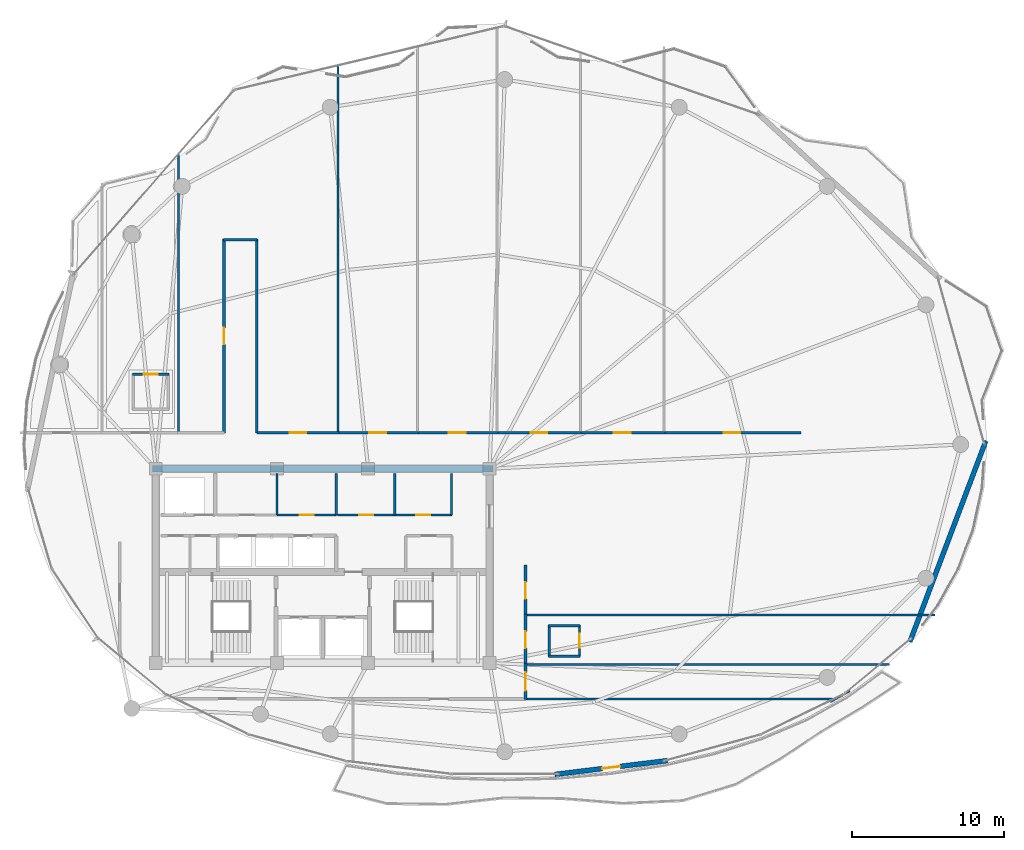
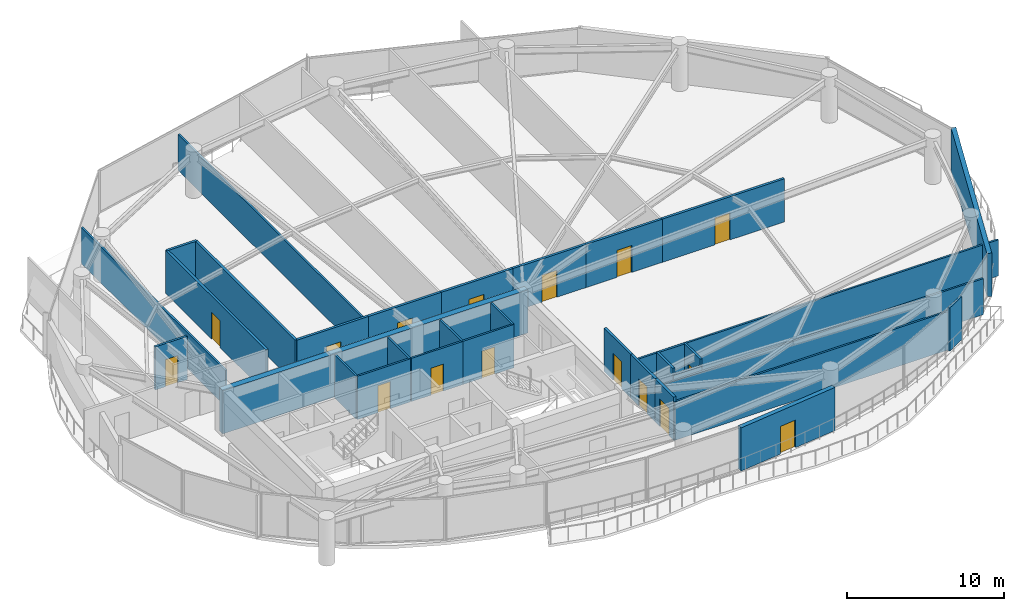
# One storey, part 24 of 29: 33 walls, 16 doors, 16 openings.
"""IFC4 building model written with IfcOpenShell, lengths in metres."""

from ifc_helpers import new_model, si_unit, direction, frame, frame_2d, origin, place, context, subcontext, project, spatial, rectangle, extrude, material, layer, layer_set, type_object, element, fill, save


model = new_model("IFC4")

# Units and contexts
model_context = context("Model", 3, precision=1e-05, world=origin(), true_north=direction((0.0, 1.0)))
body_context = subcontext(model_context, "Body", "Model", "MODEL_VIEW")
ifc_project = project(units=[si_unit("LENGTHUNIT", "METRE"), si_unit("AREAUNIT", "SQUARE_METRE"), si_unit("VOLUMEUNIT", "CUBIC_METRE"), si_unit("PLANEANGLEUNIT", "RADIAN"), si_unit("MASSUNIT", "GRAM", prefix="KILO")], contexts=[model_context])

# Site, building, storey
site_placement = place(None, origin())
site = spatial("IfcSite", under=ifc_project, at=site_placement, CompositionType="ELEMENT")
building_placement = place(site_placement, origin())
building = spatial("IfcBuilding", under=site, at=building_placement, Name="Kazevale Care Tower and Concert Hall", CompositionType="ELEMENT")
storey_placement = place(building_placement, frame((0.0, 0.0, 213.60009765625)))
storey = spatial("IfcBuildingStorey", under=building, at=storey_placement, Name="L56", CompositionType="ELEMENT", Elevation=213.60009765625)

# Wall, opening, door
ifc_material_1 = material(Name="Acoustic Gypsum on Steel Stud", Category="steel")
ifc_layer_1 = layer(ifc_material_1, 0.139892578125)
ifc_layer_set_1 = layer_set([ifc_layer_1], Name="Acoustic Gypsum on Steel Stud")
wall_type_1 = type_object("IfcWallType", Name="Acoustic Care & Suite Partition 140", PredefinedType="PARTITIONING", material=ifc_layer_set_1)
wall_1_placement = place(storey_placement, frame((30.0, 33.35009765625, 0.0), z_axis=(0.0, 0.0, 1.0), x_axis=(1.0, 0.0, 0.0)))
wall_1 = element("IfcWall", 1, at=wall_1_placement, inside=storey, type_object=wall_type_1, Name="wall:L56:c_rpl2_s", PredefinedType="PARTITIONING", context=body_context, shape_type="SweptSolid", body=[
    extrude(rectangle(XDim=3.919921875, YDim=0.139892578125, at=frame_2d((1.9599609375, 0.0))), origin(), (0.0, 0.0, 1.0), 3.35986328125),
])
opening_1_placement = place(wall_1_placement, frame((1.5, 0.0, 0.0)))
opening_1 = element("IfcOpeningElement", 2, at=opening_1_placement, cuts=wall_1, Name="Opening ID-900", PredefinedType="OPENING", context=body_context, shape_type="SweptSolid", body=[
    extrude(rectangle(XDim=0.919921875, YDim=2.10009765625, at=frame_2d((0.4599609375, 1.050048828125))), frame((0.0, 0.079833984375, 0.0), z_axis=(0.0, -1.0, 0.0), x_axis=(1.0, 0.0, 0.0)), (0.0, 0.0, 1.0), 0.159912109375),
])
ifc_material_2 = material(Name="Oak Timber Fire Leaf", Category="wood")
door_type_1 = type_object("IfcDoorType", Name="Bathroom & Service Door 920x2100", OperationType="NOTDEFINED", PredefinedType="DOOR", material=ifc_material_2)
door_1_placement = place(opening_1_placement, origin())
door_1 = element("IfcDoor", 3, at=door_1_placement, inside=storey, type_object=door_type_1, Name="door:L56:d_rpl2", OperationType="SINGLE_SWING_RIGHT", OverallHeight=2.10009765625, OverallWidth=0.919921875, PredefinedType="DOOR", context=body_context, shape_type="SweptSolid", body=[
    extrude(rectangle(XDim=0.919921875, YDim=2.10009765625, at=frame_2d((0.4599609375, 1.050048828125))), frame((0.0, 0.02490234375, 0.0), z_axis=(0.0, -1.0, 0.0), x_axis=(1.0, 0.0, 0.0)), (0.0, 0.0, 1.0), 0.050048828125),
])
fill(opening_1, door_1)

# Walls
for number, where, z_axis, x_axis, name in (
    (4, (30.0, 33.35009765625, 0.0), (0.0, 0.0, 1.0), (0.0, 1.0, 0.0), "wall:L56:c_rpl_m"),
    (5, (33.89990234375, 33.35009765625, 0.0), (0.0, 0.0, 1.0), (0.0, 1.0, 0.0), "wall:L56:c_rpl_e"),
):
    element("IfcWall", number, at=place(storey_placement, frame(where, z_axis=z_axis, x_axis=x_axis)), inside=storey, type_object=wall_type_1, Name=name, PredefinedType="PARTITIONING", context=body_context, shape_type="SweptSolid", body=[
        extrude(rectangle(XDim=2.75, YDim=0.139892578125, at=frame_2d((1.375, 0.0))), origin(), (0.0, 0.0, 1.0), 3.35986328125),
    ])

# Wall, opening, door
wall_2_placement = place(storey_placement, frame((33.97998046875, 33.35009765625, 0.0), z_axis=(0.0, 0.0, 1.0), x_axis=(1.0, 0.0, 0.0)))
wall_2 = element("IfcWall", 6, at=wall_2_placement, inside=storey, type_object=wall_type_1, Name="wall:L56:c_rpm1_s", PredefinedType="PARTITIONING", context=body_context, shape_type="SweptSolid", body=[
    extrude(rectangle(XDim=3.77001953125, YDim=0.139892578125, at=frame_2d((1.885009765625, 0.0))), origin(), (0.0, 0.0, 1.0), 3.35986328125),
])
opening_2_placement = place(wall_2_placement, frame((1.425048828125, 0.0, 0.0)))
opening_2 = element("IfcOpeningElement", 7, at=opening_2_placement, cuts=wall_2, Name="Opening ID-900", PredefinedType="OPENING", context=body_context, shape_type="SweptSolid", body=[
    extrude(rectangle(XDim=0.919921875, YDim=2.10009765625, at=frame_2d((0.4599609375, 1.050048828125))), frame((0.0, 0.079833984375, 0.0), z_axis=(0.0, -1.0, 0.0), x_axis=(1.0, 0.0, 0.0)), (0.0, 0.0, 1.0), 0.159912109375),
])
door_2_placement = place(opening_2_placement, origin())
door_2 = element("IfcDoor", 8, at=door_2_placement, inside=storey, type_object=door_type_1, Name="door:L56:d_rpm1", OperationType="SINGLE_SWING_LEFT", OverallHeight=2.10009765625, OverallWidth=0.919921875, PredefinedType="DOOR", context=body_context, shape_type="SweptSolid", body=[
    extrude(rectangle(XDim=0.919921875, YDim=2.10009765625, at=frame_2d((0.4599609375, 1.050048828125))), frame((0.0, 0.02490234375, 0.0), z_axis=(0.0, -1.0, 0.0), x_axis=(1.0, 0.0, 0.0)), (0.0, 0.0, 1.0), 0.050048828125),
])
fill(opening_2, door_2)

wall_3_placement = place(storey_placement, frame((37.75, 33.35009765625, 0.0), z_axis=(0.0, 0.0, 1.0), x_axis=(1.0, 0.0, 0.0)))
wall_3 = element("IfcWall", 9, at=wall_3_placement, inside=storey, type_object=wall_type_1, Name="wall:L56:c_rpm2_s", PredefinedType="PARTITIONING", context=body_context, shape_type="SweptSolid", body=[
    extrude(rectangle(XDim=3.77001953125, YDim=0.139892578125, at=frame_2d((1.885009765625, 0.0))), origin(), (0.0, 0.0, 1.0), 3.35986328125),
])
opening_3_placement = place(wall_3_placement, frame((1.425048828125, 0.0, 0.0)))
opening_3 = element("IfcOpeningElement", 10, at=opening_3_placement, cuts=wall_3, Name="Opening ID-900", PredefinedType="OPENING", context=body_context, shape_type="SweptSolid", body=[
    extrude(rectangle(XDim=0.919921875, YDim=2.10009765625, at=frame_2d((0.4599609375, 1.050048828125))), frame((0.0, 0.079833984375, 0.0), z_axis=(0.0, -1.0, 0.0), x_axis=(1.0, 0.0, 0.0)), (0.0, 0.0, 1.0), 0.159912109375),
])
door_3_placement = place(opening_3_placement, origin())
door_3 = element("IfcDoor", 11, at=door_3_placement, inside=storey, type_object=door_type_1, Name="door:L56:d_rpm2", OperationType="SINGLE_SWING_RIGHT", OverallHeight=2.10009765625, OverallWidth=0.919921875, PredefinedType="DOOR", context=body_context, shape_type="SweptSolid", body=[
    extrude(rectangle(XDim=0.919921875, YDim=2.10009765625, at=frame_2d((0.4599609375, 1.050048828125))), frame((0.0, 0.02490234375, 0.0), z_axis=(0.0, -1.0, 0.0), x_axis=(1.0, 0.0, 0.0)), (0.0, 0.0, 1.0), 0.050048828125),
])
fill(opening_3, door_3)

# Walls
for number, where, z_axis, x_axis, name in (
    (12, (37.75, 33.35009765625, 0.0), (0.0, 0.0, 1.0), (0.0, 1.0, 0.0), "wall:L56:c_rpm_m"),
    (13, (41.5, 33.35009765625, 0.0), (0.0, 0.0, 1.0), (0.0, 1.0, 0.0), "wall:L56:c_rpm_e"),
):
    element("IfcWall", number, at=place(storey_placement, frame(where, z_axis=z_axis, x_axis=x_axis)), inside=storey, type_object=wall_type_1, Name=name, PredefinedType="PARTITIONING", context=body_context, shape_type="SweptSolid", body=[
        extrude(rectangle(XDim=2.75, YDim=0.139892578125, at=frame_2d((1.375, 0.0))), origin(), (0.0, 0.0, 1.0), 3.35986328125),
    ])
wall_4_placement = place(storey_placement, frame((23.5, 57.115966796875, 0.0), z_axis=(0.0, 0.0, 1.0), x_axis=(0.0, -1.0, 0.0)))
element("IfcWall", 14, at=wall_4_placement, inside=storey, type_object=wall_type_1, Name="wall:L56:auto_020", PredefinedType="PARTITIONING", context=body_context, shape_type="SweptSolid", body=[
    extrude(rectangle(XDim=18.370849609375, YDim=0.139892578125, at=frame_2d((9.185546875, 0.0))), origin(), (0.0, 0.0, 1.0), 2.805908203125),
])
wall_5_placement = place(storey_placement, frame((34.0, 62.964111328125, 0.0), z_axis=(0.0, 0.0, 1.0), x_axis=(0.0, -1.0, 0.0)))
element("IfcWall", 15, at=wall_5_placement, inside=storey, type_object=wall_type_1, Name="wall:L56:auto_022", PredefinedType="PARTITIONING", context=body_context, shape_type="SweptSolid", body=[
    extrude(rectangle(XDim=24.218994140625, YDim=0.139892578125, at=frame_2d((12.109375, 0.0))), origin(), (0.0, 0.0, 1.0), 2.805908203125),
])
wall_6_placement = place(storey_placement, frame((46.344970703125, 23.5, 0.0), z_axis=(0.0, 0.0, 1.0), x_axis=(1.0, 0.0, 0.0)))
element("IfcWall", 16, at=wall_6_placement, inside=storey, type_object=wall_type_1, Name="wall:L56:auto_027", PredefinedType="PARTITIONING", context=body_context, shape_type="SweptSolid", body=[
    extrude(rectangle(XDim=24.01708984375, YDim=0.139892578125, at=frame_2d((12.008544921875, 0.0))), origin(), (0.0, 0.0, 1.0), 2.805908203125),
])
wall_7_placement = place(storey_placement, frame((66.683837890625, 21.22509765625, 0.0), z_axis=(0.0, 0.0, 1.0), x_axis=(-1.0, 0.0, 0.0)))
element("IfcWall", 17, at=wall_7_placement, inside=storey, type_object=wall_type_1, Name="wall:L56:auto_028", PredefinedType="PARTITIONING", context=body_context, shape_type="SweptSolid", body=[
    extrude(rectangle(XDim=20.3388671875, YDim=0.139892578125, at=frame_2d((10.16943359375, 0.0))), origin(), (0.0, 0.0, 1.0), 2.995849609375),
])
wall_8_placement = place(storey_placement, frame((67.748046875, 21.77001953125, 0.0), z_axis=(0.0, 0.0, 1.0), x_axis=(-0.871352238731, -0.490658003153, 0.0)))
element("IfcWall", 18, at=wall_8_placement, inside=storey, type_object=wall_type_1, Name="wall:L56:auto_029", PredefinedType="PARTITIONING", context=body_context, shape_type="SweptSolid", body=[
    extrude(rectangle(XDim=1.48974609375, YDim=0.139892578125, at=frame_2d((0.744873046875, 0.0))), origin(), (0.0, 0.0, 1.0), 3.35986328125),
])
wall_9_placement = place(storey_placement, frame((46.344970703125, 26.75, 0.0), z_axis=(0.0, 0.0, 1.0), x_axis=(1.0, 0.0, 0.0)))
element("IfcWall", 19, at=wall_9_placement, inside=storey, type_object=wall_type_1, Name="wall:L56:auto_030", PredefinedType="PARTITIONING", context=body_context, shape_type="SweptSolid", body=[
    extrude(rectangle(XDim=27.013916015625, YDim=0.139892578125, at=frame_2d((13.5068359375, 0.0))), origin(), (0.0, 0.0, 1.0), 2.805908203125),
])
ifc_material_3 = material(Name="Concrete C50", Category="concrete")
ifc_layer_2 = layer(ifc_material_3, 0.449951171875)
ifc_layer_set_2 = layer_set([ifc_layer_2], Name="Concrete C50")
wall_type_2 = type_object("IfcWallType", Name="Core Shear Wall 450 C50", PredefinedType="SHEAR", material=ifc_layer_set_2)
wall_10_placement = place(storey_placement, frame((21.77490234375, 36.39990234375, 0.0), z_axis=(0.0, 0.0, 1.0), x_axis=(1.0, 0.0, 0.0)))
element("IfcWall", 20, at=wall_10_placement, inside=storey, type_object=wall_type_2, Name="wall:L56:core:N", PredefinedType="SHEAR", context=body_context, shape_type="SweptSolid", body=[
    extrude(rectangle(XDim=22.4501953125, YDim=0.449951171875, at=frame_2d((11.22509765625, 0.0))), origin(), (0.0, 0.0, 1.0), 3.35986328125),
])

# Wall, opening, door
ifc_material_4 = material(Name="Concrete C40 and Acoustic Gypsum", Category="concrete")
ifc_layer_3 = layer(ifc_material_4, 0.179931640625)
ifc_layer_set_3 = layer_set([ifc_layer_3], Name="Concrete C40 and Acoustic Gypsum")
wall_type_3 = type_object("IfcWallType", Name="Fire-Rated Corridor & Party Wall 180", PredefinedType="PARTITIONING", material=ifc_layer_set_3)
wall_11_placement = place(storey_placement, frame((26.5, 38.7451171875, 0.0), z_axis=(0.0, 0.0, 1.0), x_axis=(0.0, 1.0, 0.0)))
wall_11 = element("IfcWall", 21, at=wall_11_placement, inside=storey, type_object=wall_type_3, Name="wall:L56:auto_003", PredefinedType="PARTITIONING", context=body_context, shape_type="SweptSolid", body=[
    extrude(rectangle(XDim=12.784912109375, YDim=0.179931640625, at=frame_2d((6.392578125, 0.0))), origin(), (0.0, 0.0, 1.0), 3.35986328125),
])
opening_4_placement = place(wall_11_placement, frame((5.843017578125, 0.0, 0.0)))
opening_4 = element("IfcOpeningElement", 22, at=opening_4_placement, cuts=wall_11, Name="Opening ID-1100", PredefinedType="OPENING", context=body_context, shape_type="SweptSolid", body=[
    extrude(rectangle(XDim=1.10009765625, YDim=2.10009765625, at=frame_2d((0.550048828125, 1.050048828125))), frame((0.0, 0.099853515625, 0.0), z_axis=(0.0, -1.0, 0.0), x_axis=(1.0, 0.0, 0.0)), (0.0, 0.0, 1.0), 0.199951171875),
])
door_type_2 = type_object("IfcDoorType", Name="Care Bedroom Accessible Door 1100x2100", OperationType="NOTDEFINED", PredefinedType="DOOR", material=ifc_material_2)
door_4_placement = place(opening_4_placement, origin())
door_4 = element("IfcDoor", 23, at=door_4_placement, inside=storey, type_object=door_type_2, Name="door:L56:ad_003", OperationType="SINGLE_SWING_LEFT", OverallHeight=2.10009765625, OverallWidth=1.10009765625, PredefinedType="DOOR", context=body_context, shape_type="SweptSolid", body=[
    extrude(rectangle(XDim=1.10009765625, YDim=2.10009765625, at=frame_2d((0.550048828125, 1.050048828125))), frame((0.0, 0.02490234375, 0.0), z_axis=(0.0, -1.0, 0.0), x_axis=(1.0, 0.0, 0.0)), (0.0, 0.0, 1.0), 0.050048828125),
])
fill(opening_4, door_4)

# Walls
wall_12_placement = place(storey_placement, frame((28.64990234375, 51.530029296875, 0.0), z_axis=(0.0, 0.0, 1.0), x_axis=(0.0, -1.0, 0.0)))
element("IfcWall", 24, at=wall_12_placement, inside=storey, type_object=wall_type_3, Name="wall:L56:auto_004", PredefinedType="PARTITIONING", context=body_context, shape_type="SweptSolid", body=[
    extrude(rectangle(XDim=12.784912109375, YDim=0.179931640625, at=frame_2d((6.392578125, 0.0))), origin(), (0.0, 0.0, 1.0), 3.35986328125),
])
wall_13_placement = place(storey_placement, frame((26.469970703125, 51.5, 0.0), z_axis=(0.0, 0.0, 1.0), x_axis=(1.0, 0.0, 0.0)))
element("IfcWall", 25, at=wall_13_placement, inside=storey, type_object=wall_type_3, Name="wall:L56:auto_006", PredefinedType="PARTITIONING", context=body_context, shape_type="SweptSolid", body=[
    extrude(rectangle(XDim=2.2099609375, YDim=0.179931640625, at=frame_2d((1.10498046875, 0.0))), origin(), (0.0, 0.0, 1.0), 3.35986328125),
])

# Wall, opening, door
wall_14_placement = place(storey_placement, frame((28.68505859375, 38.77490234375, 0.0), z_axis=(0.0, 0.0, 1.0), x_axis=(1.0, 0.0, 0.0)))
wall_14 = element("IfcWall", 26, at=wall_14_placement, inside=storey, type_object=wall_type_3, Name="wall:L56:auto_007", PredefinedType="PARTITIONING", context=body_context, shape_type="SweptSolid", body=[
    extrude(rectangle(XDim=5.3798828125, YDim=0.179931640625, at=frame_2d((2.68994140625, 0.0))), origin(), (0.0, 0.0, 1.0), 3.35986328125),
])
opening_5_placement = place(wall_14_placement, frame((2.139892578125, 0.0, 0.0)))
opening_5 = element("IfcOpeningElement", 27, at=opening_5_placement, cuts=wall_14, Name="Opening ID-1100", PredefinedType="OPENING", context=body_context, shape_type="SweptSolid", body=[
    extrude(rectangle(XDim=1.10009765625, YDim=2.10009765625, at=frame_2d((0.550048828125, 1.050048828125))), frame((0.0, 0.099853515625, 0.0), z_axis=(0.0, -1.0, 0.0), x_axis=(1.0, 0.0, 0.0)), (0.0, 0.0, 1.0), 0.199951171875),
])
door_5_placement = place(opening_5_placement, origin())
door_5 = element("IfcDoor", 28, at=door_5_placement, inside=storey, type_object=door_type_2, Name="door:L56:ad_007", OperationType="SINGLE_SWING_LEFT", OverallHeight=2.10009765625, OverallWidth=1.10009765625, PredefinedType="DOOR", context=body_context, shape_type="SweptSolid", body=[
    extrude(rectangle(XDim=1.10009765625, YDim=2.10009765625, at=frame_2d((0.550048828125, 1.050048828125))), frame((0.0, 0.02490234375, 0.0), z_axis=(0.0, -1.0, 0.0), x_axis=(1.0, 0.0, 0.0)), (0.0, 0.0, 1.0), 0.050048828125),
])
fill(opening_5, door_5)

wall_15_placement = place(storey_placement, frame((33.93505859375, 38.77490234375, 0.0), z_axis=(0.0, 0.0, 1.0), x_axis=(1.0, 0.0, 0.0)))
wall_15 = element("IfcWall", 29, at=wall_15_placement, inside=storey, type_object=wall_type_3, Name="wall:L56:auto_008", PredefinedType="PARTITIONING", context=body_context, shape_type="SweptSolid", body=[
    extrude(rectangle(XDim=5.3798828125, YDim=0.179931640625, at=frame_2d((2.68994140625, 0.0))), origin(), (0.0, 0.0, 1.0), 3.35986328125),
])
opening_6_placement = place(wall_15_placement, frame((2.139892578125, 0.0, 0.0)))
opening_6 = element("IfcOpeningElement", 30, at=opening_6_placement, cuts=wall_15, Name="Opening ID-1100", PredefinedType="OPENING", context=body_context, shape_type="SweptSolid", body=[
    extrude(rectangle(XDim=1.10009765625, YDim=2.10009765625, at=frame_2d((0.550048828125, 1.050048828125))), frame((0.0, 0.099853515625, 0.0), z_axis=(0.0, -1.0, 0.0), x_axis=(1.0, 0.0, 0.0)), (0.0, 0.0, 1.0), 0.199951171875),
])
door_6_placement = place(opening_6_placement, origin())
door_6 = element("IfcDoor", 31, at=door_6_placement, inside=storey, type_object=door_type_2, Name="door:L56:ad_008", OperationType="SINGLE_SWING_LEFT", OverallHeight=2.10009765625, OverallWidth=1.10009765625, PredefinedType="DOOR", context=body_context, shape_type="SweptSolid", body=[
    extrude(rectangle(XDim=1.10009765625, YDim=2.10009765625, at=frame_2d((0.550048828125, 1.050048828125))), frame((0.0, 0.02490234375, 0.0), z_axis=(0.0, -1.0, 0.0), x_axis=(1.0, 0.0, 0.0)), (0.0, 0.0, 1.0), 0.050048828125),
])
fill(opening_6, door_6)

wall_16_placement = place(storey_placement, frame((39.18505859375, 38.77490234375, 0.0), z_axis=(0.0, 0.0, 1.0), x_axis=(1.0, 0.0, 0.0)))
wall_16 = element("IfcWall", 32, at=wall_16_placement, inside=storey, type_object=wall_type_3, Name="wall:L56:auto_009", PredefinedType="PARTITIONING", context=body_context, shape_type="SweptSolid", body=[
    extrude(rectangle(XDim=5.3798828125, YDim=0.179931640625, at=frame_2d((2.68994140625, 0.0))), origin(), (0.0, 0.0, 1.0), 3.35986328125),
])
opening_7_placement = place(wall_16_placement, frame((2.139892578125, 0.0, 0.0)))
opening_7 = element("IfcOpeningElement", 33, at=opening_7_placement, cuts=wall_16, Name="Opening ID-1100", PredefinedType="OPENING", context=body_context, shape_type="SweptSolid", body=[
    extrude(rectangle(XDim=1.10009765625, YDim=2.10009765625, at=frame_2d((0.550048828125, 1.050048828125))), frame((0.0, 0.099853515625, 0.0), z_axis=(0.0, -1.0, 0.0), x_axis=(1.0, 0.0, 0.0)), (0.0, 0.0, 1.0), 0.199951171875),
])
door_7_placement = place(opening_7_placement, origin())
door_7 = element("IfcDoor", 34, at=door_7_placement, inside=storey, type_object=door_type_2, Name="door:L56:ad_009", OperationType="SINGLE_SWING_LEFT", OverallHeight=2.10009765625, OverallWidth=1.10009765625, PredefinedType="DOOR", context=body_context, shape_type="SweptSolid", body=[
    extrude(rectangle(XDim=1.10009765625, YDim=2.10009765625, at=frame_2d((0.550048828125, 1.050048828125))), frame((0.0, 0.02490234375, 0.0), z_axis=(0.0, -1.0, 0.0), x_axis=(1.0, 0.0, 0.0)), (0.0, 0.0, 1.0), 0.050048828125),
])
fill(opening_7, door_7)

wall_17_placement = place(storey_placement, frame((44.43505859375, 38.77490234375, 0.0), z_axis=(0.0, 0.0, 1.0), x_axis=(1.0, 0.0, 0.0)))
wall_17 = element("IfcWall", 35, at=wall_17_placement, inside=storey, type_object=wall_type_3, Name="wall:L56:auto_010", PredefinedType="PARTITIONING", context=body_context, shape_type="SweptSolid", body=[
    extrude(rectangle(XDim=5.6298828125, YDim=0.179931640625, at=frame_2d((2.81494140625, 0.0))), origin(), (0.0, 0.0, 1.0), 3.35986328125),
])
opening_8_placement = place(wall_17_placement, frame((2.264892578125, 0.0, 0.0)))
opening_8 = element("IfcOpeningElement", 36, at=opening_8_placement, cuts=wall_17, Name="Opening ID-1100", PredefinedType="OPENING", context=body_context, shape_type="SweptSolid", body=[
    extrude(rectangle(XDim=1.10009765625, YDim=2.10009765625, at=frame_2d((0.550048828125, 1.050048828125))), frame((0.0, 0.099853515625, 0.0), z_axis=(0.0, -1.0, 0.0), x_axis=(1.0, 0.0, 0.0)), (0.0, 0.0, 1.0), 0.199951171875),
])
door_8_placement = place(opening_8_placement, origin())
door_8 = element("IfcDoor", 37, at=door_8_placement, inside=storey, type_object=door_type_2, Name="door:L56:ad_010", OperationType="SINGLE_SWING_LEFT", OverallHeight=2.10009765625, OverallWidth=1.10009765625, PredefinedType="DOOR", context=body_context, shape_type="SweptSolid", body=[
    extrude(rectangle(XDim=1.10009765625, YDim=2.10009765625, at=frame_2d((0.550048828125, 1.050048828125))), frame((0.0, 0.02490234375, 0.0), z_axis=(0.0, -1.0, 0.0), x_axis=(1.0, 0.0, 0.0)), (0.0, 0.0, 1.0), 0.050048828125),
])
fill(opening_8, door_8)

wall_18_placement = place(storey_placement, frame((49.93505859375, 38.77490234375, 0.0), z_axis=(0.0, 0.0, 1.0), x_axis=(1.0, 0.0, 0.0)))
wall_18 = element("IfcWall", 38, at=wall_18_placement, inside=storey, type_object=wall_type_3, Name="wall:L56:auto_011", PredefinedType="PARTITIONING", context=body_context, shape_type="SweptSolid", body=[
    extrude(rectangle(XDim=5.6298828125, YDim=0.179931640625, at=frame_2d((2.81494140625, 0.0))), origin(), (0.0, 0.0, 1.0), 3.35986328125),
])
opening_9_placement = place(wall_18_placement, frame((2.264892578125, 0.0, 0.0)))
opening_9 = element("IfcOpeningElement", 39, at=opening_9_placement, cuts=wall_18, Name="Opening ID-1100", PredefinedType="OPENING", context=body_context, shape_type="SweptSolid", body=[
    extrude(rectangle(XDim=1.10009765625, YDim=2.10009765625, at=frame_2d((0.550048828125, 1.050048828125))), frame((0.0, 0.099853515625, 0.0), z_axis=(0.0, -1.0, 0.0), x_axis=(1.0, 0.0, 0.0)), (0.0, 0.0, 1.0), 0.199951171875),
])
door_9_placement = place(opening_9_placement, origin())
door_9 = element("IfcDoor", 40, at=door_9_placement, inside=storey, type_object=door_type_2, Name="door:L56:ad_011", OperationType="SINGLE_SWING_LEFT", OverallHeight=2.10009765625, OverallWidth=1.10009765625, PredefinedType="DOOR", context=body_context, shape_type="SweptSolid", body=[
    extrude(rectangle(XDim=1.10009765625, YDim=2.10009765625, at=frame_2d((0.550048828125, 1.050048828125))), frame((0.0, 0.02490234375, 0.0), z_axis=(0.0, -1.0, 0.0), x_axis=(1.0, 0.0, 0.0)), (0.0, 0.0, 1.0), 0.050048828125),
])
fill(opening_9, door_9)

wall_19_placement = place(storey_placement, frame((55.43505859375, 38.77490234375, 0.0), z_axis=(0.0, 0.0, 1.0), x_axis=(1.0, 0.0, 0.0)))
wall_19 = element("IfcWall", 41, at=wall_19_placement, inside=storey, type_object=wall_type_3, Name="wall:L56:auto_012", PredefinedType="PARTITIONING", context=body_context, shape_type="SweptSolid", body=[
    extrude(rectangle(XDim=9.094970703125, YDim=0.179931640625, at=frame_2d((4.54736328125, 0.0))), origin(), (0.0, 0.0, 1.0), 3.35986328125),
])
opening_10_placement = place(wall_19_placement, frame((3.998046875, 0.0, 0.0)))
opening_10 = element("IfcOpeningElement", 42, at=opening_10_placement, cuts=wall_19, Name="Opening ID-1100", PredefinedType="OPENING", context=body_context, shape_type="SweptSolid", body=[
    extrude(rectangle(XDim=1.10009765625, YDim=2.10009765625, at=frame_2d((0.550048828125, 1.050048828125))), frame((0.0, 0.099853515625, 0.0), z_axis=(0.0, -1.0, 0.0), x_axis=(1.0, 0.0, 0.0)), (0.0, 0.0, 1.0), 0.199951171875),
])
door_10_placement = place(opening_10_placement, origin())
door_10 = element("IfcDoor", 43, at=door_10_placement, inside=storey, type_object=door_type_2, Name="door:L56:ad_012", OperationType="SINGLE_SWING_LEFT", OverallHeight=2.10009765625, OverallWidth=1.10009765625, PredefinedType="DOOR", context=body_context, shape_type="SweptSolid", body=[
    extrude(rectangle(XDim=1.10009765625, YDim=2.10009765625, at=frame_2d((0.550048828125, 1.050048828125))), frame((0.0, 0.02490234375, 0.0), z_axis=(0.0, -1.0, 0.0), x_axis=(1.0, 0.0, 0.0)), (0.0, 0.0, 1.0), 0.050048828125),
])
fill(opening_10, door_10)

wall_20_placement = place(storey_placement, frame((46.375, 23.56494140625, 0.0), z_axis=(0.0, 0.0, 1.0), x_axis=(0.0, -1.0, 0.0)))
wall_20 = element("IfcWall", 44, at=wall_20_placement, inside=storey, type_object=wall_type_3, Name="wall:L56:auto_013", PredefinedType="PARTITIONING", context=body_context, shape_type="SweptSolid", body=[
    extrude(rectangle(XDim=2.369873046875, YDim=0.179931640625, at=frame_2d((1.18505859375, 0.0))), origin(), (0.0, 0.0, 1.0), 3.35986328125),
])
opening_11_placement = place(wall_20_placement, frame((0.5849609375, 0.0, 0.0)))
opening_11 = element("IfcOpeningElement", 45, at=opening_11_placement, cuts=wall_20, Name="Opening ID-1200", PredefinedType="OPENING", context=body_context, shape_type="SweptSolid", body=[
    extrude(rectangle(XDim=1.199951171875, YDim=2.14990234375, at=frame_2d((0.60009765625, 1.074951171875))), frame((0.0, 0.099853515625, 0.0), z_axis=(0.0, -1.0, 0.0), x_axis=(1.0, 0.0, 0.0)), (0.0, 0.0, 1.0), 0.199951171875),
])
door_type_3 = type_object("IfcDoorType", Name="Clinical & Therapy Door 1200x2150", OperationType="NOTDEFINED", PredefinedType="DOOR", material=ifc_material_2)
door_11_placement = place(opening_11_placement, origin())
door_11 = element("IfcDoor", 46, at=door_11_placement, inside=storey, type_object=door_type_3, Name="door:L56:ad_013", OperationType="SINGLE_SWING_LEFT", OverallHeight=2.14990234375, OverallWidth=1.199951171875, PredefinedType="DOOR", context=body_context, shape_type="SweptSolid", body=[
    extrude(rectangle(XDim=1.199951171875, YDim=2.14990234375, at=frame_2d((0.60009765625, 1.074951171875))), frame((0.0, 0.02490234375, 0.0), z_axis=(0.0, -1.0, 0.0), x_axis=(1.0, 0.0, 0.0)), (0.0, 0.0, 1.0), 0.050048828125),
])
fill(opening_11, door_11)

wall_21_placement = place(storey_placement, frame((46.375, 26.81494140625, 0.0), z_axis=(0.0, 0.0, 1.0), x_axis=(0.0, -1.0, 0.0)))
wall_21 = element("IfcWall", 47, at=wall_21_placement, inside=storey, type_object=wall_type_3, Name="wall:L56:auto_014", PredefinedType="PARTITIONING", context=body_context, shape_type="SweptSolid", body=[
    extrude(rectangle(XDim=3.3798828125, YDim=0.179931640625, at=frame_2d((1.68994140625, 0.0))), origin(), (0.0, 0.0, 1.0), 3.35986328125),
])
opening_12_placement = place(wall_21_placement, frame((1.139892578125, 0.0, 0.0)))
opening_12 = element("IfcOpeningElement", 48, at=opening_12_placement, cuts=wall_21, Name="Opening ID-1100", PredefinedType="OPENING", context=body_context, shape_type="SweptSolid", body=[
    extrude(rectangle(XDim=1.10009765625, YDim=2.10009765625, at=frame_2d((0.550048828125, 1.050048828125))), frame((0.0, 0.099853515625, 0.0), z_axis=(0.0, -1.0, 0.0), x_axis=(1.0, 0.0, 0.0)), (0.0, 0.0, 1.0), 0.199951171875),
])
door_12_placement = place(opening_12_placement, origin())
door_12 = element("IfcDoor", 49, at=door_12_placement, inside=storey, type_object=door_type_2, Name="door:L56:ad_014", OperationType="SINGLE_SWING_LEFT", OverallHeight=2.10009765625, OverallWidth=1.10009765625, PredefinedType="DOOR", context=body_context, shape_type="SweptSolid", body=[
    extrude(rectangle(XDim=1.10009765625, YDim=2.10009765625, at=frame_2d((0.550048828125, 1.050048828125))), frame((0.0, 0.02490234375, 0.0), z_axis=(0.0, -1.0, 0.0), x_axis=(1.0, 0.0, 0.0)), (0.0, 0.0, 1.0), 0.050048828125),
])
fill(opening_12, door_12)

wall_22_placement = place(storey_placement, frame((46.375, 30.06494140625, 0.0), z_axis=(0.0, 0.0, 1.0), x_axis=(0.0, -1.0, 0.0)))
wall_22 = element("IfcWall", 50, at=wall_22_placement, inside=storey, type_object=wall_type_3, Name="wall:L56:auto_015", PredefinedType="PARTITIONING", context=body_context, shape_type="SweptSolid", body=[
    extrude(rectangle(XDim=3.3798828125, YDim=0.179931640625, at=frame_2d((1.68994140625, 0.0))), origin(), (0.0, 0.0, 1.0), 3.35986328125),
])
opening_13_placement = place(wall_22_placement, frame((1.139892578125, 0.0, 0.0)))
opening_13 = element("IfcOpeningElement", 51, at=opening_13_placement, cuts=wall_22, Name="Opening ID-1100", PredefinedType="OPENING", context=body_context, shape_type="SweptSolid", body=[
    extrude(rectangle(XDim=1.10009765625, YDim=2.10009765625, at=frame_2d((0.550048828125, 1.050048828125))), frame((0.0, 0.099853515625, 0.0), z_axis=(0.0, -1.0, 0.0), x_axis=(1.0, 0.0, 0.0)), (0.0, 0.0, 1.0), 0.199951171875),
])
door_13_placement = place(opening_13_placement, origin())
door_13 = element("IfcDoor", 52, at=door_13_placement, inside=storey, type_object=door_type_2, Name="door:L56:ad_015", OperationType="SINGLE_SWING_LEFT", OverallHeight=2.10009765625, OverallWidth=1.10009765625, PredefinedType="DOOR", context=body_context, shape_type="SweptSolid", body=[
    extrude(rectangle(XDim=1.10009765625, YDim=2.10009765625, at=frame_2d((0.550048828125, 1.050048828125))), frame((0.0, 0.02490234375, 0.0), z_axis=(0.0, -1.0, 0.0), x_axis=(1.0, 0.0, 0.0)), (0.0, 0.0, 1.0), 0.050048828125),
])
fill(opening_13, door_13)

ifc_layer_4 = layer(ifc_material_1, 0.159912109375)
ifc_layer_set_4 = layer_set([ifc_layer_4], Name="Acoustic Gypsum on Steel Stud")
wall_type_4 = type_object("IfcWallType", Name="Moisture-Resistant Bathroom Plumbing Wall 160", PredefinedType="PLUMBINGWALL", material=ifc_layer_set_4)
wall_23_placement = place(storey_placement, frame((20.47998046875, 42.625, 0.0), z_axis=(0.0, 0.0, 1.0), x_axis=(1.0, 0.0, 0.0)))
wall_23 = element("IfcWall", 53, at=wall_23_placement, inside=storey, type_object=wall_type_4, Name="wall:L56:nb1b_ens_wn", PredefinedType="PLUMBINGWALL", context=body_context, shape_type="SweptSolid", body=[
    extrude(rectangle(XDim=2.380126953125, YDim=0.159912109375, at=frame_2d((1.18994140625, 0.0))), origin(), (0.0, 0.0, 1.0), 3.35986328125),
])
opening_14_placement = place(wall_23_placement, frame((0.739990234375, 0.0, 0.0)))
opening_14 = element("IfcOpeningElement", 54, at=opening_14_placement, cuts=wall_23, Name="Opening ID-900", PredefinedType="OPENING", context=body_context, shape_type="SweptSolid", body=[
    extrude(rectangle(XDim=0.919921875, YDim=2.10009765625, at=frame_2d((0.4599609375, 1.050048828125))), frame((0.0, 0.08984375, 0.0), z_axis=(0.0, -1.0, 0.0), x_axis=(1.0, 0.0, 0.0)), (0.0, 0.0, 1.0), 0.179931640625),
])
door_14_placement = place(opening_14_placement, origin())
door_14 = element("IfcDoor", 55, at=door_14_placement, inside=storey, type_object=door_type_1, Name="door:L56:nb1b_ens_d", OperationType="SINGLE_SWING_RIGHT", OverallHeight=2.10009765625, OverallWidth=0.919921875, PredefinedType="DOOR", context=body_context, shape_type="SweptSolid", body=[
    extrude(rectangle(XDim=0.919921875, YDim=2.10009765625, at=frame_2d((0.4599609375, 1.050048828125))), frame((0.0, 0.02490234375, 0.0), z_axis=(0.0, -1.0, 0.0), x_axis=(1.0, 0.0, 0.0)), (0.0, 0.0, 1.0), 0.050048828125),
])
fill(opening_14, door_14)

# Walls
wall_24_placement = place(storey_placement, frame((47.885009765625, 24.050048828125, 0.0), z_axis=(0.0, 0.0, 1.0), x_axis=(1.0, 0.0, 0.0)))
element("IfcWall", 56, at=wall_24_placement, inside=storey, type_object=wall_type_4, Name="wall:L56:eb2a_ens_ws", PredefinedType="PLUMBINGWALL", context=body_context, shape_type="SweptSolid", body=[
    extrude(rectangle(XDim=2.080078125, YDim=0.159912109375, at=frame_2d((1.0400390625, 0.0))), origin(), (0.0, 0.0, 1.0), 2.805908203125),
])
for number, where, z_axis, x_axis, name in (
    (57, (47.885009765625, 26.050048828125, 0.0), (0.0, 0.0, 1.0), (1.0, 0.0, 0.0), "wall:L56:eb2a_ens_wn"),
    (58, (47.925048828125, 24.010009765625, 0.0), (0.0, 0.0, 1.0), (0.0, 1.0, 0.0), "wall:L56:eb2a_ens_ww"),
):
    element("IfcWall", number, at=place(storey_placement, frame(where, z_axis=z_axis, x_axis=x_axis)), inside=storey, type_object=wall_type_4, Name=name, PredefinedType="PLUMBINGWALL", context=body_context, shape_type="SweptSolid", body=[
        extrude(rectangle(XDim=2.080078125, YDim=0.159912109375, at=frame_2d((1.0400390625, 0.0))), origin(), (0.0, 0.0, 1.0), 3.35986328125),
    ])

# Wall, opening, door
wall_25_placement = place(storey_placement, frame((49.925048828125, 24.010009765625, 0.0), z_axis=(0.0, 0.0, 1.0), x_axis=(0.0, 1.0, 0.0)))
wall_25 = element("IfcWall", 59, at=wall_25_placement, inside=storey, type_object=wall_type_4, Name="wall:L56:eb2a_ens_we", PredefinedType="PLUMBINGWALL", context=body_context, shape_type="SweptSolid", body=[
    extrude(rectangle(XDim=2.080078125, YDim=0.159912109375, at=frame_2d((1.0400390625, 0.0))), origin(), (0.0, 0.0, 1.0), 3.35986328125),
])
opening_15_placement = place(wall_25_placement, frame((0.590087890625, 0.0, 0.0)))
opening_15 = element("IfcOpeningElement", 60, at=opening_15_placement, cuts=wall_25, Name="Opening ID-900", PredefinedType="OPENING", context=body_context, shape_type="SweptSolid", body=[
    extrude(rectangle(XDim=0.919921875, YDim=2.10009765625, at=frame_2d((0.4599609375, 1.050048828125))), frame((0.0, 0.08984375, 0.0), z_axis=(0.0, -1.0, 0.0), x_axis=(1.0, 0.0, 0.0)), (0.0, 0.0, 1.0), 0.179931640625),
])
door_15_placement = place(opening_15_placement, origin())
door_15 = element("IfcDoor", 61, at=door_15_placement, inside=storey, type_object=door_type_1, Name="door:L56:eb2a_ens_d", OperationType="SINGLE_SWING_RIGHT", OverallHeight=2.10009765625, OverallWidth=0.919921875, PredefinedType="DOOR", context=body_context, shape_type="SweptSolid", body=[
    extrude(rectangle(XDim=0.919921875, YDim=2.10009765625, at=frame_2d((0.4599609375, 1.050048828125))), frame((0.0, 0.02490234375, 0.0), z_axis=(0.0, -1.0, 0.0), x_axis=(1.0, 0.0, 0.0)), (0.0, 0.0, 1.0), 0.050048828125),
])
fill(opening_15, door_15)

# Wall
ifc_material_5 = material(Name="Concrete C40 with Honed Limestone Cladding", Category="masonry")
ifc_layer_5 = layer(ifc_material_5, 0.320068359375)
ifc_layer_set_5 = layer_set([ifc_layer_5], Name="Concrete C40 with Honed Limestone Cladding")
wall_type_5 = type_object("IfcWallType", Name="Tower Honed Limestone Spandrel Wall 320", PredefinedType="STANDARD", material=ifc_layer_set_5)
wall_26_placement = place(storey_placement, frame((76.7119140625, 38.242919921875, 0.0), z_axis=(0.0, 0.0, 1.0), x_axis=(-0.353659523244, -0.935374225441, 0.0)))
element("IfcWall", 62, at=wall_26_placement, inside=storey, type_object=wall_type_5, Name="wall:cw:L56:f01", PredefinedType="STANDARD", context=body_context, shape_type="SweptSolid", body=[
    extrude(rectangle(XDim=14.171630859375, YDim=0.320068359375, at=frame_2d((7.0859375, 0.0))), origin(), (0.0, 0.0, 1.0), 3.35986328125),
])

# Wall, opening, door
wall_27_placement = place(storey_placement, frame((55.72705078125, 17.1650390625, 0.0), z_axis=(0.0, 0.0, 1.0), x_axis=(-0.992559081031, -0.121763995755, 0.0)))
wall_27 = element("IfcWall", 63, at=wall_27_placement, inside=storey, type_object=wall_type_5, Name="wall:L56:bal_host", PredefinedType="STANDARD", context=body_context, shape_type="SweptSolid", body=[
    extrude(rectangle(XDim=7.49072265625, YDim=0.320068359375, at=frame_2d((3.745361328125, 0.0))), origin(), (0.0, 0.0, 1.0), 3.35986328125),
])
opening_16_placement = place(wall_27_placement, frame((3.14501953125, 0.0, 0.0)))
opening_16 = element("IfcOpeningElement", 64, at=opening_16_placement, cuts=wall_27, Name="Opening BD-1200", PredefinedType="OPENING", context=body_context, shape_type="SweptSolid", body=[
    extrude(rectangle(XDim=1.199951171875, YDim=2.14990234375, at=frame_2d((0.60009765625, 1.074951171875))), frame((0.0, 0.169921875, 0.0), z_axis=(0.0, -1.0, 0.0), x_axis=(1.0, 0.0, 0.0)), (0.0, 0.0, 1.0), 0.340087890625),
])
ifc_material_6 = material(Name="Aluminium 6063-T6 and Low-E Glass", Category="aluminium")
door_type_4 = type_object("IfcDoorType", Name="Sheltered Balcony Glazed Door 1200x2150", OperationType="NOTDEFINED", PredefinedType="DOOR", material=ifc_material_6)
door_16_placement = place(opening_16_placement, origin())
door_16 = element("IfcDoor", 65, at=door_16_placement, inside=storey, type_object=door_type_4, Name="door:L56:BD-1", OperationType="SINGLE_SWING_LEFT", OverallHeight=2.14990234375, OverallWidth=1.199951171875, PredefinedType="DOOR", context=body_context, shape_type="SweptSolid", body=[
    extrude(rectangle(XDim=1.199951171875, YDim=2.14990234375, at=frame_2d((0.60009765625, 1.074951171875))), frame((0.0, 0.02490234375, 0.0), z_axis=(0.0, -1.0, 0.0), x_axis=(1.0, 0.0, 0.0)), (0.0, 0.0, 1.0), 0.050048828125),
])
fill(opening_16, door_16)

save(model, "model.ifc")
